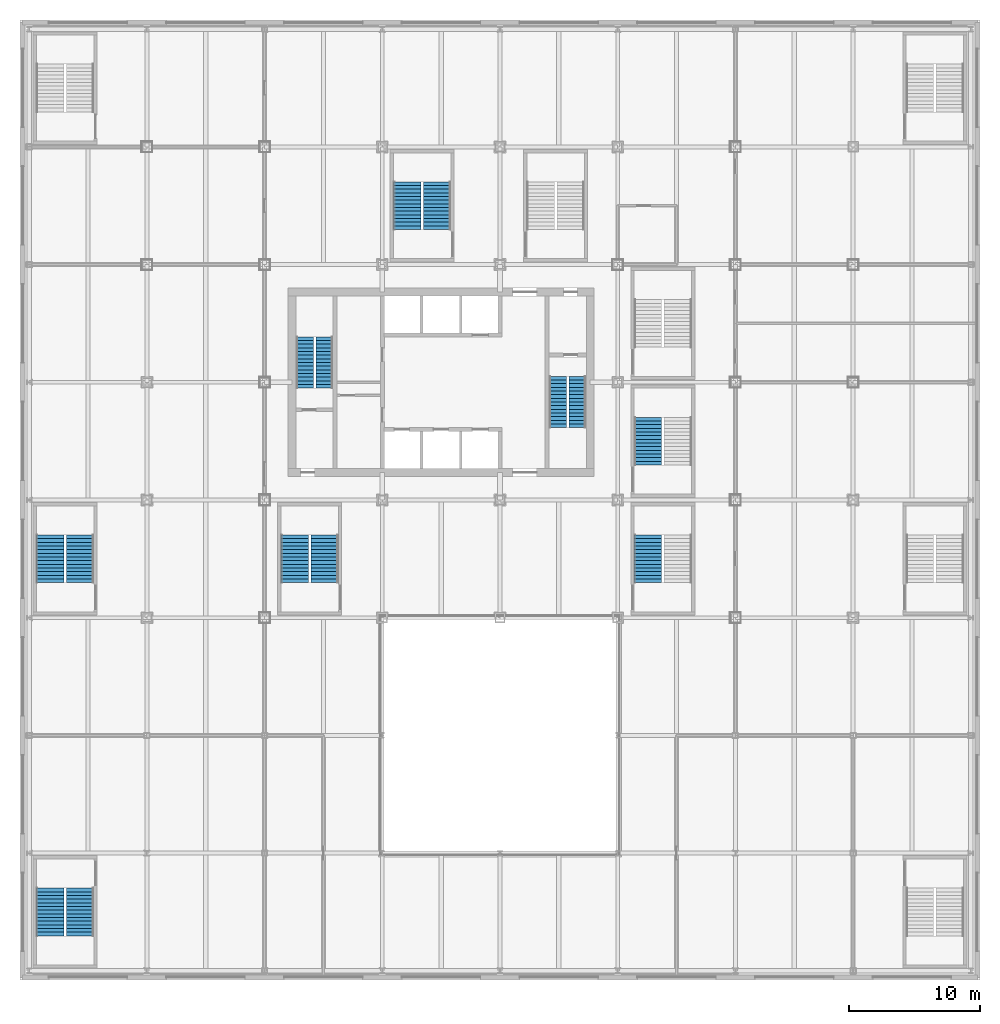
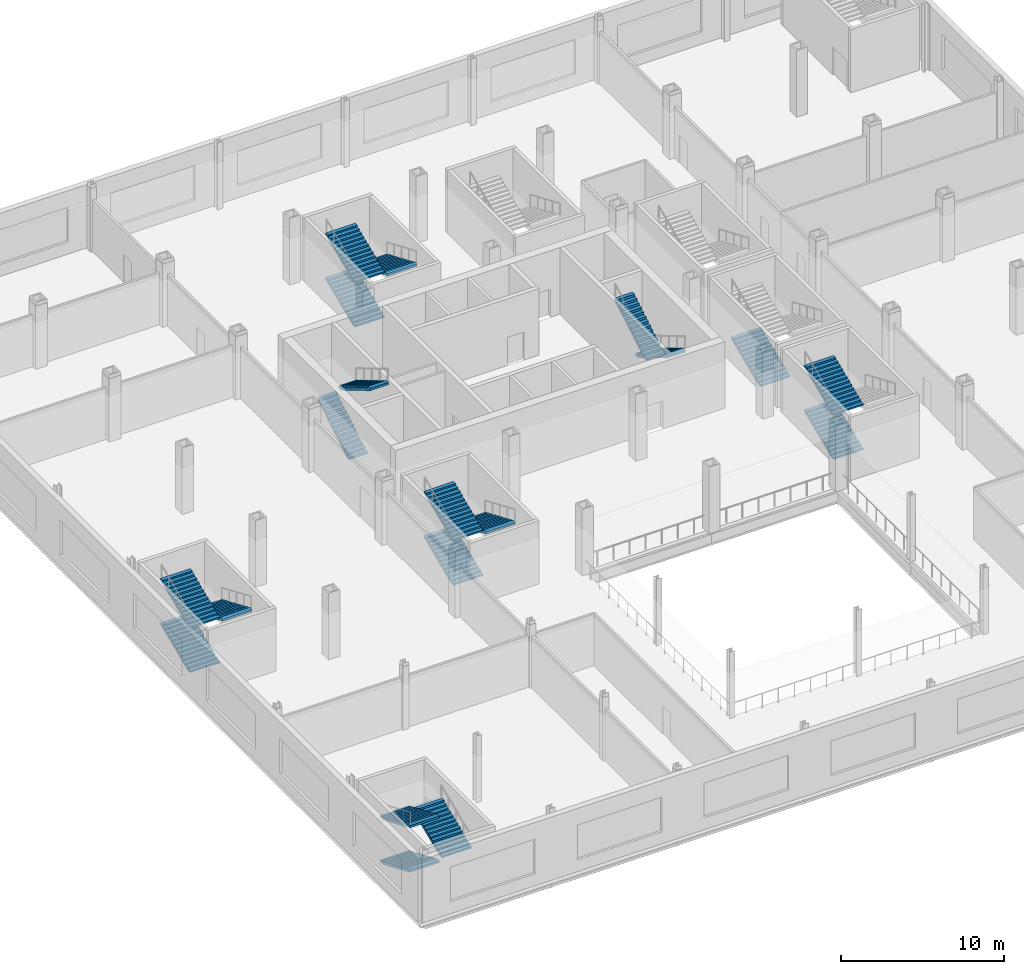
# One storey, part 16 of 31: 19 stair flights, 8 elements without a shape of their own.
"""IFC4 building model written with IfcOpenShell, lengths in metres."""

from ifc_helpers import new_model, si_unit, direction, frame, origin, place, context, subcontext, project, spatial, polyline, outline, extrude, material, type_object, element, aggregate, save


model = new_model("IFC4")

# Units and contexts
model_context = context("Model", 3, precision=1e-05, world=origin(), true_north=direction((0.0, 1.0)))
body_context = subcontext(model_context, "Body", "Model", "MODEL_VIEW")
ifc_project = project(units=[si_unit("LENGTHUNIT", "METRE"), si_unit("AREAUNIT", "SQUARE_METRE"), si_unit("VOLUMEUNIT", "CUBIC_METRE"), si_unit("PLANEANGLEUNIT", "RADIAN"), si_unit("MASSUNIT", "GRAM", prefix="KILO")], contexts=[model_context])

# Site, building, storey
site_placement = place(None, origin())
site = spatial("IfcSite", under=ifc_project, at=site_placement, CompositionType="ELEMENT")
building_placement = place(site_placement, origin())
building = spatial("IfcBuilding", under=site, at=building_placement, Name="Loomwork Tower", CompositionType="ELEMENT")
storey_placement = place(building_placement, frame((0.0, 0.0, 11.0)))
storey = spatial("IfcBuildingStorey", under=building, at=storey_placement, Name="L02", CompositionType="ELEMENT", Elevation=11.0)

# Stair, stair flights
ifc_material_1 = material(Name="Concrete 5000 psi (34 MPa) precast stair", Category="concrete")
stair_type_1 = type_object("IfcStairType", Name="Stair ST-A 30 risers 2850 wide", PredefinedType="HALF_TURN_STAIR", material=ifc_material_1)
stair_1_placement = place(storey_placement, origin())
stair_1 = element("IfcStair", 1, at=stair_1_placement, inside=storey, type_object=stair_type_1, Name="Stair A L02", PredefinedType="HALF_TURN_STAIR")
ifc_material_2 = material(Name="Concrete 5000 psi (34 MPa) precast stair", Category="concrete")
stair_flight_type_1 = type_object("IfcStairFlightType", Name="Stair flight ST-A 15 risers 1300 wide", PredefinedType="STRAIGHT", material=ifc_material_2)
stair_flight_1_placement = place(storey_placement, frame((12.074951171875, 17.550048828125, 0.0), z_axis=(0.0, 0.0, 1.0), x_axis=(0.0, 1.0, 0.0)))
stair_flight_1 = element("IfcStairFlight", 2, at=stair_flight_1_placement, type_object=stair_flight_type_1, Name="ST-A flight 1", NumberOfRisers=15, NumberOfTreads=14, PredefinedType="STRAIGHT", RiserHeight=0.166666667, TreadLength=0.28, context=body_context, shape_type="SweptSolid", body=[
    extrude(outline(polyline([(0.0, 0.0), (0.0, 0.166748046875), (0.280029296875, 0.166748046875), (0.280029296875, 0.333251953125), (0.56005859375, 0.333251953125), (0.56005859375, 0.5), (0.840087890625, 0.5), (0.840087890625, 0.666748046875), (1.1201171875, 0.666748046875), (1.1201171875, 0.833251953125), (1.39990234375, 0.833251953125), (1.39990234375, 1.0), (1.679931640625, 1.0), (1.679931640625, 1.166748046875), (1.9599609375, 1.166748046875), (1.9599609375, 1.333251953125), (2.239990234375, 1.333251953125), (2.239990234375, 1.5), (2.52001953125, 1.5), (2.52001953125, 1.666748046875), (2.800048828125, 1.666748046875), (2.800048828125, 1.833251953125), (3.080078125, 1.833251953125), (3.080078125, 2.0), (3.360107421875, 2.0), (3.360107421875, 2.166748046875), (3.639892578125, 2.166748046875), (3.639892578125, 2.333251953125), (3.919921875, 2.333251953125), (3.919921875, 2.5), (3.919921875, 2.158935546875), (0.29296875, 0.0), (0.0, 0.0)])), frame((0.0, 0.64990234375, 0.0), z_axis=(0.0, -1.0, 0.0), x_axis=(1.0, 0.0, 0.0)), (0.0, 0.0, 1.0), 1.300048828125),
])
stair_flight_2_placement = place(storey_placement, frame((13.574951171875, 21.469970703125, 2.5), z_axis=(0.0, 0.0, 1.0), x_axis=(0.0, -1.0, 0.0)))
stair_flight_2 = element("IfcStairFlight", 3, at=stair_flight_2_placement, type_object=stair_flight_type_1, Name="ST-A flight 2", NumberOfRisers=15, NumberOfTreads=14, PredefinedType="STRAIGHT", RiserHeight=0.166666667, TreadLength=0.28, context=body_context, shape_type="SweptSolid", body=[
    extrude(outline(polyline([(0.0, 0.0), (0.0, 0.166748046875), (0.280029296875, 0.166748046875), (0.280029296875, 0.333251953125), (0.56005859375, 0.333251953125), (0.56005859375, 0.5), (0.840087890625, 0.5), (0.840087890625, 0.666748046875), (1.1201171875, 0.666748046875), (1.1201171875, 0.833251953125), (1.39990234375, 0.833251953125), (1.39990234375, 1.0), (1.679931640625, 1.0), (1.679931640625, 1.166748046875), (1.9599609375, 1.166748046875), (1.9599609375, 1.333251953125), (2.239990234375, 1.333251953125), (2.239990234375, 1.5), (2.52001953125, 1.5), (2.52001953125, 1.666748046875), (2.800048828125, 1.666748046875), (2.800048828125, 1.833251953125), (3.080078125, 1.833251953125), (3.080078125, 2.0), (3.360107421875, 2.0), (3.360107421875, 2.166748046875), (3.639892578125, 2.166748046875), (3.639892578125, 2.333251953125), (3.919921875, 2.333251953125), (3.919921875, 2.5), (3.919921875, 2.158935546875), (0.29296875, 0.0), (0.0, 0.0)])), frame((0.0, 0.64990234375, 0.0), z_axis=(0.0, -1.0, 0.0), x_axis=(1.0, 0.0, 0.0)), (0.0, 0.0, 1.0), 1.300048828125),
])
aggregate(stair_1, [stair_flight_1, stair_flight_2])

ifc_material_3 = material(Name="Concrete 5000 psi (34 MPa) precast stair", Category="concrete")
stair_type_2 = type_object("IfcStairType", Name="Stair ST-B 30 risers 2850 wide", PredefinedType="HALF_TURN_STAIR", material=ifc_material_3)
stair_2_placement = place(storey_placement, origin())
stair_2 = element("IfcStair", 4, at=stair_2_placement, inside=storey, type_object=stair_type_2, Name="Stair B L02", PredefinedType="HALF_TURN_STAIR")
ifc_material_4 = material(Name="Concrete 5000 psi (34 MPa) precast stair", Category="concrete")
stair_flight_type_2 = type_object("IfcStairFlightType", Name="Stair flight ST-B 15 risers 1300 wide", PredefinedType="STRAIGHT", material=ifc_material_4)
stair_flight_3_placement = place(storey_placement, frame((32.925048828125, 18.449951171875, 0.0), z_axis=(0.0, 0.0, 1.0), x_axis=(0.0, -1.0, 0.0)))
stair_flight_3 = element("IfcStairFlight", 5, at=stair_flight_3_placement, type_object=stair_flight_type_2, Name="ST-B flight 1", NumberOfRisers=15, NumberOfTreads=14, PredefinedType="STRAIGHT", RiserHeight=0.166666667, TreadLength=0.28, context=body_context, shape_type="SweptSolid", body=[
    extrude(outline(polyline([(0.0, 0.0), (0.0, 0.166748046875), (0.280029296875, 0.166748046875), (0.280029296875, 0.333251953125), (0.56005859375, 0.333251953125), (0.56005859375, 0.5), (0.840087890625, 0.5), (0.840087890625, 0.666748046875), (1.1201171875, 0.666748046875), (1.1201171875, 0.833251953125), (1.39990234375, 0.833251953125), (1.39990234375, 1.0), (1.679931640625, 1.0), (1.679931640625, 1.166748046875), (1.9599609375, 1.166748046875), (1.9599609375, 1.333251953125), (2.239990234375, 1.333251953125), (2.239990234375, 1.5), (2.52001953125, 1.5), (2.52001953125, 1.666748046875), (2.800048828125, 1.666748046875), (2.800048828125, 1.833251953125), (3.080078125, 1.833251953125), (3.080078125, 2.0), (3.360107421875, 2.0), (3.360107421875, 2.166748046875), (3.639892578125, 2.166748046875), (3.639892578125, 2.333251953125), (3.919921875, 2.333251953125), (3.919921875, 2.5), (3.919921875, 2.158935546875), (0.29296875, 0.0), (0.0, 0.0)])), frame((0.0, 0.64990234375, 0.0), z_axis=(0.0, -1.0, 0.0), x_axis=(1.0, 0.0, 0.0)), (0.0, 0.0, 1.0), 1.300048828125),
])
stair_flight_4_placement = place(storey_placement, frame((31.425048828125, 14.530029296875, 2.5), z_axis=(0.0, 0.0, 1.0), x_axis=(0.0, 1.0, 0.0)))
stair_flight_4 = element("IfcStairFlight", 6, at=stair_flight_4_placement, type_object=stair_flight_type_2, Name="ST-B flight 2", NumberOfRisers=15, NumberOfTreads=14, PredefinedType="STRAIGHT", RiserHeight=0.166666667, TreadLength=0.28, context=body_context, shape_type="SweptSolid", body=[
    extrude(outline(polyline([(0.0, 0.0), (0.0, 0.166748046875), (0.280029296875, 0.166748046875), (0.280029296875, 0.333251953125), (0.56005859375, 0.333251953125), (0.56005859375, 0.5), (0.840087890625, 0.5), (0.840087890625, 0.666748046875), (1.1201171875, 0.666748046875), (1.1201171875, 0.833251953125), (1.39990234375, 0.833251953125), (1.39990234375, 1.0), (1.679931640625, 1.0), (1.679931640625, 1.166748046875), (1.9599609375, 1.166748046875), (1.9599609375, 1.333251953125), (2.239990234375, 1.333251953125), (2.239990234375, 1.5), (2.52001953125, 1.5), (2.52001953125, 1.666748046875), (2.800048828125, 1.666748046875), (2.800048828125, 1.833251953125), (3.080078125, 1.833251953125), (3.080078125, 2.0), (3.360107421875, 2.0), (3.360107421875, 2.166748046875), (3.639892578125, 2.166748046875), (3.639892578125, 2.333251953125), (3.919921875, 2.333251953125), (3.919921875, 2.5), (3.919921875, 2.158935546875), (0.29296875, 0.0), (0.0, 0.0)])), frame((0.0, 0.64990234375, 0.0), z_axis=(0.0, -1.0, 0.0), x_axis=(1.0, 0.0, 0.0)), (0.0, 0.0, 1.0), 1.300048828125),
])
aggregate(stair_2, [stair_flight_3, stair_flight_4])

ifc_material_5 = material(Name="Concrete 5000 psi (34 MPa) precast stair", Category="concrete")
stair_type_3 = type_object("IfcStairType", Name="Stair ST-S10P 42 risers of 119 4400 wide", PredefinedType="HALF_TURN_STAIR", material=ifc_material_5)
stair_3_placement = place(storey_placement, origin())
stair_3 = element("IfcStair", 7, at=stair_3_placement, inside=storey, type_object=stair_type_3, Name="Podium stair PS10 L02", PredefinedType="HALF_TURN_STAIR")
ifc_material_6 = material(Name="Concrete 5000 psi (34 MPa) precast stair", Category="concrete")
stair_flight_type_3 = type_object("IfcStairFlightType", Name="Stair flight ST-S10P 14 risers of 119 2100 wide", PredefinedType="STRAIGHT", material=ifc_material_6)
stair_flight_5_placement = place(storey_placement, frame((19.89990234375, 29.679931640625, 0.0), z_axis=(0.0, 0.0, 1.0), x_axis=(0.0, 1.0, 0.0)))
stair_flight_5 = element("IfcStairFlight", 8, at=stair_flight_5_placement, type_object=stair_flight_type_3, Name="ST-S10P flight 1", NumberOfRisers=14, NumberOfTreads=13, PredefinedType="STRAIGHT", RiserHeight=0.119047619, TreadLength=0.28, context=body_context, shape_type="SweptSolid", body=[
    extrude(outline(polyline([(0.0, 0.0), (0.0, 0.119140625), (0.280029296875, 0.119140625), (0.280029296875, 0.238037109375), (0.56005859375, 0.238037109375), (0.56005859375, 0.357177734375), (0.840087890625, 0.357177734375), (0.840087890625, 0.47607421875), (1.1201171875, 0.47607421875), (1.1201171875, 0.59521484375), (1.39990234375, 0.59521484375), (1.39990234375, 0.71435546875), (1.679931640625, 0.71435546875), (1.679931640625, 0.833251953125), (1.9599609375, 0.833251953125), (1.9599609375, 0.952392578125), (2.239990234375, 0.952392578125), (2.239990234375, 1.071533203125), (2.52001953125, 1.071533203125), (2.52001953125, 1.1904296875), (2.800048828125, 1.1904296875), (2.800048828125, 1.3095703125), (3.080078125, 1.3095703125), (3.080078125, 1.428466796875), (3.360107421875, 1.428466796875), (3.360107421875, 1.547607421875), (3.639892578125, 1.547607421875), (3.639892578125, 1.666748046875), (3.639892578125, 1.384765625), (0.383056640625, 0.0), (0.0, 0.0)])), frame((0.0, 1.050048828125, 0.0), z_axis=(0.0, -1.0, 0.0), x_axis=(1.0, 0.0, 0.0)), (0.0, 0.0, 1.0), 2.10009765625),
])
stair_flight_6_placement = place(storey_placement, frame((22.199951171875, 33.320068359375, 1.666748046875), z_axis=(0.0, 0.0, 1.0), x_axis=(0.0, -1.0, 0.0)))
stair_flight_6 = element("IfcStairFlight", 9, at=stair_flight_6_placement, type_object=stair_flight_type_3, Name="ST-S10P flight 2", NumberOfRisers=14, NumberOfTreads=13, PredefinedType="STRAIGHT", RiserHeight=0.119047619, TreadLength=0.28, context=body_context, shape_type="SweptSolid", body=[
    extrude(outline(polyline([(0.0, 0.0), (0.0, 0.119140625), (0.280029296875, 0.119140625), (0.280029296875, 0.238037109375), (0.56005859375, 0.238037109375), (0.56005859375, 0.357177734375), (0.840087890625, 0.357177734375), (0.840087890625, 0.47607421875), (1.1201171875, 0.47607421875), (1.1201171875, 0.59521484375), (1.39990234375, 0.59521484375), (1.39990234375, 0.71435546875), (1.679931640625, 0.71435546875), (1.679931640625, 0.833251953125), (1.9599609375, 0.833251953125), (1.9599609375, 0.952392578125), (2.239990234375, 0.952392578125), (2.239990234375, 1.071533203125), (2.52001953125, 1.071533203125), (2.52001953125, 1.1904296875), (2.800048828125, 1.1904296875), (2.800048828125, 1.3095703125), (3.080078125, 1.3095703125), (3.080078125, 1.428466796875), (3.360107421875, 1.428466796875), (3.360107421875, 1.547607421875), (3.639892578125, 1.547607421875), (3.639892578125, 1.666748046875), (3.639892578125, 1.384765625), (0.383056640625, 0.0), (0.0, 0.0)])), frame((0.0, 1.050048828125, 0.0), z_axis=(0.0, -1.0, 0.0), x_axis=(1.0, 0.0, 0.0)), (0.0, 0.0, 1.0), 2.10009765625),
])
stair_flight_7_placement = place(storey_placement, frame((19.89990234375, 29.679931640625, 3.333251953125), z_axis=(0.0, 0.0, 1.0), x_axis=(0.0, 1.0, 0.0)))
stair_flight_7 = element("IfcStairFlight", 10, at=stair_flight_7_placement, type_object=stair_flight_type_3, Name="ST-S10P flight 3", NumberOfRisers=14, NumberOfTreads=13, PredefinedType="STRAIGHT", RiserHeight=0.119047619, TreadLength=0.28, context=body_context, shape_type="SweptSolid", body=[
    extrude(outline(polyline([(0.0, 0.0), (0.0, 0.119140625), (0.280029296875, 0.119140625), (0.280029296875, 0.238037109375), (0.56005859375, 0.238037109375), (0.56005859375, 0.357177734375), (0.840087890625, 0.357177734375), (0.840087890625, 0.47607421875), (1.1201171875, 0.47607421875), (1.1201171875, 0.59521484375), (1.39990234375, 0.59521484375), (1.39990234375, 0.71435546875), (1.679931640625, 0.71435546875), (1.679931640625, 0.833251953125), (1.9599609375, 0.833251953125), (1.9599609375, 0.952392578125), (2.239990234375, 0.952392578125), (2.239990234375, 1.071533203125), (2.52001953125, 1.071533203125), (2.52001953125, 1.1904296875), (2.800048828125, 1.1904296875), (2.800048828125, 1.3095703125), (3.080078125, 1.3095703125), (3.080078125, 1.428466796875), (3.360107421875, 1.428466796875), (3.360107421875, 1.547607421875), (3.639892578125, 1.547607421875), (3.639892578125, 1.666748046875), (3.639892578125, 1.384765625), (0.383056640625, 0.0), (0.0, 0.0)])), frame((0.0, 1.050048828125, 0.0), z_axis=(0.0, -1.0, 0.0), x_axis=(1.0, 0.0, 0.0)), (0.0, 0.0, 1.0), 2.10009765625),
])
aggregate(stair_3, [stair_flight_5, stair_flight_6, stair_flight_7])

ifc_material_7 = material(Name="Concrete 5000 psi (34 MPa) precast stair", Category="concrete")
stair_type_4 = type_object("IfcStairType", Name="Stair ST-S12P 42 risers of 119 4400 wide", PredefinedType="HALF_TURN_STAIR", material=ifc_material_7)
stair_4_placement = place(storey_placement, origin())
stair_4 = element("IfcStair", 11, at=stair_4_placement, inside=storey, type_object=stair_type_4, Name="Podium stair PS12 L02", PredefinedType="HALF_TURN_STAIR")
ifc_material_8 = material(Name="Concrete 5000 psi (34 MPa) precast stair", Category="concrete")
stair_flight_type_4 = type_object("IfcStairFlightType", Name="Stair flight ST-S12P 14 risers of 119 2100 wide", PredefinedType="STRAIGHT", material=ifc_material_8)
stair_flight_8_placement = place(storey_placement, frame((11.300048828125, 2.679931640625, 0.0), z_axis=(0.0, 0.0, 1.0), x_axis=(0.0, 1.0, 0.0)))
stair_flight_8 = element("IfcStairFlight", 12, at=stair_flight_8_placement, type_object=stair_flight_type_4, Name="ST-S12P flight 1", NumberOfRisers=14, NumberOfTreads=13, PredefinedType="STRAIGHT", RiserHeight=0.119047619, TreadLength=0.28, context=body_context, shape_type="SweptSolid", body=[
    extrude(outline(polyline([(0.0, 0.0), (0.0, 0.119140625), (0.280029296875, 0.119140625), (0.280029296875, 0.238037109375), (0.56005859375, 0.238037109375), (0.56005859375, 0.357177734375), (0.840087890625, 0.357177734375), (0.840087890625, 0.47607421875), (1.1201171875, 0.47607421875), (1.1201171875, 0.59521484375), (1.39990234375, 0.59521484375), (1.39990234375, 0.71435546875), (1.679931640625, 0.71435546875), (1.679931640625, 0.833251953125), (1.9599609375, 0.833251953125), (1.9599609375, 0.952392578125), (2.239990234375, 0.952392578125), (2.239990234375, 1.071533203125), (2.52001953125, 1.071533203125), (2.52001953125, 1.1904296875), (2.800048828125, 1.1904296875), (2.800048828125, 1.3095703125), (3.080078125, 1.3095703125), (3.080078125, 1.428466796875), (3.360107421875, 1.428466796875), (3.360107421875, 1.547607421875), (3.639892578125, 1.547607421875), (3.639892578125, 1.666748046875), (3.639892578125, 1.384765625), (0.383056640625, 0.0), (0.0, 0.0)])), frame((0.0, 1.050048828125, 0.0), z_axis=(0.0, -1.0, 0.0), x_axis=(1.0, 0.0, 0.0)), (0.0, 0.0, 1.0), 2.10009765625),
])
stair_flight_9_placement = place(storey_placement, frame((13.60009765625, 6.320068359375, 1.666748046875), z_axis=(0.0, 0.0, 1.0), x_axis=(0.0, -1.0, 0.0)))
stair_flight_9 = element("IfcStairFlight", 13, at=stair_flight_9_placement, type_object=stair_flight_type_4, Name="ST-S12P flight 2", NumberOfRisers=14, NumberOfTreads=13, PredefinedType="STRAIGHT", RiserHeight=0.119047619, TreadLength=0.28, context=body_context, shape_type="SweptSolid", body=[
    extrude(outline(polyline([(0.0, 0.0), (0.0, 0.119140625), (0.280029296875, 0.119140625), (0.280029296875, 0.238037109375), (0.56005859375, 0.238037109375), (0.56005859375, 0.357177734375), (0.840087890625, 0.357177734375), (0.840087890625, 0.47607421875), (1.1201171875, 0.47607421875), (1.1201171875, 0.59521484375), (1.39990234375, 0.59521484375), (1.39990234375, 0.71435546875), (1.679931640625, 0.71435546875), (1.679931640625, 0.833251953125), (1.9599609375, 0.833251953125), (1.9599609375, 0.952392578125), (2.239990234375, 0.952392578125), (2.239990234375, 1.071533203125), (2.52001953125, 1.071533203125), (2.52001953125, 1.1904296875), (2.800048828125, 1.1904296875), (2.800048828125, 1.3095703125), (3.080078125, 1.3095703125), (3.080078125, 1.428466796875), (3.360107421875, 1.428466796875), (3.360107421875, 1.547607421875), (3.639892578125, 1.547607421875), (3.639892578125, 1.666748046875), (3.639892578125, 1.384765625), (0.383056640625, 0.0), (0.0, 0.0)])), frame((0.0, 1.050048828125, 0.0), z_axis=(0.0, -1.0, 0.0), x_axis=(1.0, 0.0, 0.0)), (0.0, 0.0, 1.0), 2.10009765625),
])
stair_flight_10_placement = place(storey_placement, frame((11.300048828125, 2.679931640625, 3.333251953125), z_axis=(0.0, 0.0, 1.0), x_axis=(0.0, 1.0, 0.0)))
stair_flight_10 = element("IfcStairFlight", 14, at=stair_flight_10_placement, type_object=stair_flight_type_4, Name="ST-S12P flight 3", NumberOfRisers=14, NumberOfTreads=13, PredefinedType="STRAIGHT", RiserHeight=0.119047619, TreadLength=0.28, context=body_context, shape_type="SweptSolid", body=[
    extrude(outline(polyline([(0.0, 0.0), (0.0, 0.119140625), (0.280029296875, 0.119140625), (0.280029296875, 0.238037109375), (0.56005859375, 0.238037109375), (0.56005859375, 0.357177734375), (0.840087890625, 0.357177734375), (0.840087890625, 0.47607421875), (1.1201171875, 0.47607421875), (1.1201171875, 0.59521484375), (1.39990234375, 0.59521484375), (1.39990234375, 0.71435546875), (1.679931640625, 0.71435546875), (1.679931640625, 0.833251953125), (1.9599609375, 0.833251953125), (1.9599609375, 0.952392578125), (2.239990234375, 0.952392578125), (2.239990234375, 1.071533203125), (2.52001953125, 1.071533203125), (2.52001953125, 1.1904296875), (2.800048828125, 1.1904296875), (2.800048828125, 1.3095703125), (3.080078125, 1.3095703125), (3.080078125, 1.428466796875), (3.360107421875, 1.428466796875), (3.360107421875, 1.547607421875), (3.639892578125, 1.547607421875), (3.639892578125, 1.666748046875), (3.639892578125, 1.384765625), (0.383056640625, 0.0), (0.0, 0.0)])), frame((0.0, 1.050048828125, 0.0), z_axis=(0.0, -1.0, 0.0), x_axis=(1.0, 0.0, 0.0)), (0.0, 0.0, 1.0), 2.10009765625),
])
aggregate(stair_4, [stair_flight_8, stair_flight_9, stair_flight_10])

ifc_material_9 = material(Name="Concrete 5000 psi (34 MPa) precast stair", Category="concrete")
stair_type_5 = type_object("IfcStairType", Name="Stair ST-S1P 42 risers of 119 4400 wide", PredefinedType="HALF_TURN_STAIR", material=ifc_material_9)
stair_5_placement = place(storey_placement, origin())
stair_5 = element("IfcStair", 15, at=stair_5_placement, inside=storey, type_object=stair_type_5, Name="Podium stair PS1 L02", PredefinedType="HALF_TURN_STAIR")
ifc_material_10 = material(Name="Concrete 5000 psi (34 MPa) precast stair", Category="concrete")
stair_flight_type_5 = type_object("IfcStairFlightType", Name="Stair flight ST-S1P 14 risers of 119 2100 wide", PredefinedType="STRAIGHT", material=ifc_material_10)
stair_flight_11_placement = place(storey_placement, frame((-7.39990234375, -20.679931640625, 0.0), z_axis=(0.0, 0.0, 1.0), x_axis=(0.0, -1.0, 0.0)))
stair_flight_11 = element("IfcStairFlight", 16, at=stair_flight_11_placement, type_object=stair_flight_type_5, Name="ST-S1P flight 1", NumberOfRisers=14, NumberOfTreads=13, PredefinedType="STRAIGHT", RiserHeight=0.119047619, TreadLength=0.28, context=body_context, shape_type="SweptSolid", body=[
    extrude(outline(polyline([(0.0, 0.0), (0.0, 0.119140625), (0.280029296875, 0.119140625), (0.280029296875, 0.238037109375), (0.56005859375, 0.238037109375), (0.56005859375, 0.357177734375), (0.840087890625, 0.357177734375), (0.840087890625, 0.47607421875), (1.1201171875, 0.47607421875), (1.1201171875, 0.59521484375), (1.39990234375, 0.59521484375), (1.39990234375, 0.71435546875), (1.679931640625, 0.71435546875), (1.679931640625, 0.833251953125), (1.9599609375, 0.833251953125), (1.9599609375, 0.952392578125), (2.239990234375, 0.952392578125), (2.239990234375, 1.071533203125), (2.52001953125, 1.071533203125), (2.52001953125, 1.1904296875), (2.800048828125, 1.1904296875), (2.800048828125, 1.3095703125), (3.080078125, 1.3095703125), (3.080078125, 1.428466796875), (3.360107421875, 1.428466796875), (3.360107421875, 1.547607421875), (3.639892578125, 1.547607421875), (3.639892578125, 1.666748046875), (3.639892578125, 1.384765625), (0.383056640625, 0.0), (0.0, 0.0)])), frame((0.0, 1.050048828125, 0.0), z_axis=(0.0, -1.0, 0.0), x_axis=(1.0, 0.0, 0.0)), (0.0, 0.0, 1.0), 2.10009765625),
])
stair_flight_12_placement = place(storey_placement, frame((-5.10009765625, -24.320068359375, 1.666748046875), z_axis=(0.0, 0.0, 1.0), x_axis=(0.0, 1.0, 0.0)))
stair_flight_12 = element("IfcStairFlight", 17, at=stair_flight_12_placement, type_object=stair_flight_type_5, Name="ST-S1P flight 2", NumberOfRisers=14, NumberOfTreads=13, PredefinedType="STRAIGHT", RiserHeight=0.119047619, TreadLength=0.28, context=body_context, shape_type="SweptSolid", body=[
    extrude(outline(polyline([(0.0, 0.0), (0.0, 0.119140625), (0.280029296875, 0.119140625), (0.280029296875, 0.238037109375), (0.56005859375, 0.238037109375), (0.56005859375, 0.357177734375), (0.840087890625, 0.357177734375), (0.840087890625, 0.47607421875), (1.1201171875, 0.47607421875), (1.1201171875, 0.59521484375), (1.39990234375, 0.59521484375), (1.39990234375, 0.71435546875), (1.679931640625, 0.71435546875), (1.679931640625, 0.833251953125), (1.9599609375, 0.833251953125), (1.9599609375, 0.952392578125), (2.239990234375, 0.952392578125), (2.239990234375, 1.071533203125), (2.52001953125, 1.071533203125), (2.52001953125, 1.1904296875), (2.800048828125, 1.1904296875), (2.800048828125, 1.3095703125), (3.080078125, 1.3095703125), (3.080078125, 1.428466796875), (3.360107421875, 1.428466796875), (3.360107421875, 1.547607421875), (3.639892578125, 1.547607421875), (3.639892578125, 1.666748046875), (3.639892578125, 1.384765625), (0.383056640625, 0.0), (0.0, 0.0)])), frame((0.0, 1.050048828125, 0.0), z_axis=(0.0, -1.0, 0.0), x_axis=(1.0, 0.0, 0.0)), (0.0, 0.0, 1.0), 2.10009765625),
])
stair_flight_13_placement = place(storey_placement, frame((-7.39990234375, -20.679931640625, 3.333251953125), z_axis=(0.0, 0.0, 1.0), x_axis=(0.0, -1.0, 0.0)))
stair_flight_13 = element("IfcStairFlight", 18, at=stair_flight_13_placement, type_object=stair_flight_type_5, Name="ST-S1P flight 3", NumberOfRisers=14, NumberOfTreads=13, PredefinedType="STRAIGHT", RiserHeight=0.119047619, TreadLength=0.28, context=body_context, shape_type="SweptSolid", body=[
    extrude(outline(polyline([(0.0, 0.0), (0.0, 0.119140625), (0.280029296875, 0.119140625), (0.280029296875, 0.238037109375), (0.56005859375, 0.238037109375), (0.56005859375, 0.357177734375), (0.840087890625, 0.357177734375), (0.840087890625, 0.47607421875), (1.1201171875, 0.47607421875), (1.1201171875, 0.59521484375), (1.39990234375, 0.59521484375), (1.39990234375, 0.71435546875), (1.679931640625, 0.71435546875), (1.679931640625, 0.833251953125), (1.9599609375, 0.833251953125), (1.9599609375, 0.952392578125), (2.239990234375, 0.952392578125), (2.239990234375, 1.071533203125), (2.52001953125, 1.071533203125), (2.52001953125, 1.1904296875), (2.800048828125, 1.1904296875), (2.800048828125, 1.3095703125), (3.080078125, 1.3095703125), (3.080078125, 1.428466796875), (3.360107421875, 1.428466796875), (3.360107421875, 1.547607421875), (3.639892578125, 1.547607421875), (3.639892578125, 1.666748046875), (3.639892578125, 1.384765625), (0.383056640625, 0.0), (0.0, 0.0)])), frame((0.0, 1.050048828125, 0.0), z_axis=(0.0, -1.0, 0.0), x_axis=(1.0, 0.0, 0.0)), (0.0, 0.0, 1.0), 2.10009765625),
])
aggregate(stair_5, [stair_flight_11, stair_flight_12, stair_flight_13])

ifc_material_11 = material(Name="Concrete 5000 psi (34 MPa) precast stair", Category="concrete")
stair_type_6 = type_object("IfcStairType", Name="Stair ST-S5P 42 risers of 119 4400 wide", PredefinedType="HALF_TURN_STAIR", material=ifc_material_11)
stair_6_placement = place(storey_placement, origin())
stair_6 = element("IfcStair", 19, at=stair_6_placement, inside=storey, type_object=stair_type_6, Name="Podium stair PS5 L02", PredefinedType="HALF_TURN_STAIR")
ifc_material_12 = material(Name="Concrete 5000 psi (34 MPa) precast stair", Category="concrete")
stair_flight_type_6 = type_object("IfcStairFlightType", Name="Stair flight ST-S5P 14 risers of 119 2100 wide", PredefinedType="STRAIGHT", material=ifc_material_12)
stair_flight_14_placement = place(storey_placement, frame((-7.39990234375, 2.679931640625, 0.0), z_axis=(0.0, 0.0, 1.0), x_axis=(0.0, 1.0, 0.0)))
stair_flight_14 = element("IfcStairFlight", 20, at=stair_flight_14_placement, type_object=stair_flight_type_6, Name="ST-S5P flight 1", NumberOfRisers=14, NumberOfTreads=13, PredefinedType="STRAIGHT", RiserHeight=0.119047619, TreadLength=0.28, context=body_context, shape_type="SweptSolid", body=[
    extrude(outline(polyline([(0.0, 0.0), (0.0, 0.119140625), (0.280029296875, 0.119140625), (0.280029296875, 0.238037109375), (0.56005859375, 0.238037109375), (0.56005859375, 0.357177734375), (0.840087890625, 0.357177734375), (0.840087890625, 0.47607421875), (1.1201171875, 0.47607421875), (1.1201171875, 0.59521484375), (1.39990234375, 0.59521484375), (1.39990234375, 0.71435546875), (1.679931640625, 0.71435546875), (1.679931640625, 0.833251953125), (1.9599609375, 0.833251953125), (1.9599609375, 0.952392578125), (2.239990234375, 0.952392578125), (2.239990234375, 1.071533203125), (2.52001953125, 1.071533203125), (2.52001953125, 1.1904296875), (2.800048828125, 1.1904296875), (2.800048828125, 1.3095703125), (3.080078125, 1.3095703125), (3.080078125, 1.428466796875), (3.360107421875, 1.428466796875), (3.360107421875, 1.547607421875), (3.639892578125, 1.547607421875), (3.639892578125, 1.666748046875), (3.639892578125, 1.384765625), (0.383056640625, 0.0), (0.0, 0.0)])), frame((0.0, 1.050048828125, 0.0), z_axis=(0.0, -1.0, 0.0), x_axis=(1.0, 0.0, 0.0)), (0.0, 0.0, 1.0), 2.10009765625),
])
stair_flight_15_placement = place(storey_placement, frame((-5.10009765625, 6.320068359375, 1.666748046875), z_axis=(0.0, 0.0, 1.0), x_axis=(0.0, -1.0, 0.0)))
stair_flight_15 = element("IfcStairFlight", 21, at=stair_flight_15_placement, type_object=stair_flight_type_6, Name="ST-S5P flight 2", NumberOfRisers=14, NumberOfTreads=13, PredefinedType="STRAIGHT", RiserHeight=0.119047619, TreadLength=0.28, context=body_context, shape_type="SweptSolid", body=[
    extrude(outline(polyline([(0.0, 0.0), (0.0, 0.119140625), (0.280029296875, 0.119140625), (0.280029296875, 0.238037109375), (0.56005859375, 0.238037109375), (0.56005859375, 0.357177734375), (0.840087890625, 0.357177734375), (0.840087890625, 0.47607421875), (1.1201171875, 0.47607421875), (1.1201171875, 0.59521484375), (1.39990234375, 0.59521484375), (1.39990234375, 0.71435546875), (1.679931640625, 0.71435546875), (1.679931640625, 0.833251953125), (1.9599609375, 0.833251953125), (1.9599609375, 0.952392578125), (2.239990234375, 0.952392578125), (2.239990234375, 1.071533203125), (2.52001953125, 1.071533203125), (2.52001953125, 1.1904296875), (2.800048828125, 1.1904296875), (2.800048828125, 1.3095703125), (3.080078125, 1.3095703125), (3.080078125, 1.428466796875), (3.360107421875, 1.428466796875), (3.360107421875, 1.547607421875), (3.639892578125, 1.547607421875), (3.639892578125, 1.666748046875), (3.639892578125, 1.384765625), (0.383056640625, 0.0), (0.0, 0.0)])), frame((0.0, 1.050048828125, 0.0), z_axis=(0.0, -1.0, 0.0), x_axis=(1.0, 0.0, 0.0)), (0.0, 0.0, 1.0), 2.10009765625),
])
stair_flight_16_placement = place(storey_placement, frame((-7.39990234375, 2.679931640625, 3.333251953125), z_axis=(0.0, 0.0, 1.0), x_axis=(0.0, 1.0, 0.0)))
stair_flight_16 = element("IfcStairFlight", 22, at=stair_flight_16_placement, type_object=stair_flight_type_6, Name="ST-S5P flight 3", NumberOfRisers=14, NumberOfTreads=13, PredefinedType="STRAIGHT", RiserHeight=0.119047619, TreadLength=0.28, context=body_context, shape_type="SweptSolid", body=[
    extrude(outline(polyline([(0.0, 0.0), (0.0, 0.119140625), (0.280029296875, 0.119140625), (0.280029296875, 0.238037109375), (0.56005859375, 0.238037109375), (0.56005859375, 0.357177734375), (0.840087890625, 0.357177734375), (0.840087890625, 0.47607421875), (1.1201171875, 0.47607421875), (1.1201171875, 0.59521484375), (1.39990234375, 0.59521484375), (1.39990234375, 0.71435546875), (1.679931640625, 0.71435546875), (1.679931640625, 0.833251953125), (1.9599609375, 0.833251953125), (1.9599609375, 0.952392578125), (2.239990234375, 0.952392578125), (2.239990234375, 1.071533203125), (2.52001953125, 1.071533203125), (2.52001953125, 1.1904296875), (2.800048828125, 1.1904296875), (2.800048828125, 1.3095703125), (3.080078125, 1.3095703125), (3.080078125, 1.428466796875), (3.360107421875, 1.428466796875), (3.360107421875, 1.547607421875), (3.639892578125, 1.547607421875), (3.639892578125, 1.666748046875), (3.639892578125, 1.384765625), (0.383056640625, 0.0), (0.0, 0.0)])), frame((0.0, 1.050048828125, 0.0), z_axis=(0.0, -1.0, 0.0), x_axis=(1.0, 0.0, 0.0)), (0.0, 0.0, 1.0), 2.10009765625),
])
aggregate(stair_6, [stair_flight_14, stair_flight_15, stair_flight_16])

ifc_material_13 = material(Name="Concrete 5000 psi (34 MPa) precast stair", Category="concrete")
stair_type_7 = type_object("IfcStairType", Name="Stair ST-S7P 42 risers of 119 4400 wide", PredefinedType="HALF_TURN_STAIR", material=ifc_material_13)
stair_7_placement = place(storey_placement, origin())
stair_7 = element("IfcStair", 23, at=stair_7_placement, inside=storey, type_object=stair_type_7, Name="Podium stair PS7 L02", PredefinedType="HALF_TURN_STAIR")
ifc_material_14 = material(Name="Concrete 5000 psi (34 MPa) precast stair", Category="concrete")
stair_flight_type_7 = type_object("IfcStairFlightType", Name="Stair flight ST-S7P 14 risers of 119 2100 wide", PredefinedType="STRAIGHT", material=ifc_material_14)
stair_flight_17_placement = place(storey_placement, frame((38.300048828125, 2.679931640625, 0.0), z_axis=(0.0, 0.0, 1.0), x_axis=(0.0, 1.0, 0.0)))
stair_flight_17 = element("IfcStairFlight", 24, at=stair_flight_17_placement, type_object=stair_flight_type_7, Name="ST-S7P flight 1", NumberOfRisers=14, NumberOfTreads=13, PredefinedType="STRAIGHT", RiserHeight=0.119047619, TreadLength=0.28, context=body_context, shape_type="SweptSolid", body=[
    extrude(outline(polyline([(0.0, 0.0), (0.0, 0.119140625), (0.280029296875, 0.119140625), (0.280029296875, 0.238037109375), (0.56005859375, 0.238037109375), (0.56005859375, 0.357177734375), (0.840087890625, 0.357177734375), (0.840087890625, 0.47607421875), (1.1201171875, 0.47607421875), (1.1201171875, 0.59521484375), (1.39990234375, 0.59521484375), (1.39990234375, 0.71435546875), (1.679931640625, 0.71435546875), (1.679931640625, 0.833251953125), (1.9599609375, 0.833251953125), (1.9599609375, 0.952392578125), (2.239990234375, 0.952392578125), (2.239990234375, 1.071533203125), (2.52001953125, 1.071533203125), (2.52001953125, 1.1904296875), (2.800048828125, 1.1904296875), (2.800048828125, 1.3095703125), (3.080078125, 1.3095703125), (3.080078125, 1.428466796875), (3.360107421875, 1.428466796875), (3.360107421875, 1.547607421875), (3.639892578125, 1.547607421875), (3.639892578125, 1.666748046875), (3.639892578125, 1.384765625), (0.383056640625, 0.0), (0.0, 0.0)])), frame((0.0, 1.050048828125, 0.0), z_axis=(0.0, -1.0, 0.0), x_axis=(1.0, 0.0, 0.0)), (0.0, 0.0, 1.0), 2.10009765625),
])
stair_flight_18_placement = place(storey_placement, frame((38.300048828125, 2.679931640625, 3.333251953125), z_axis=(0.0, 0.0, 1.0), x_axis=(0.0, 1.0, 0.0)))
stair_flight_18 = element("IfcStairFlight", 25, at=stair_flight_18_placement, type_object=stair_flight_type_7, Name="ST-S7P flight 3", NumberOfRisers=14, NumberOfTreads=13, PredefinedType="STRAIGHT", RiserHeight=0.119047619, TreadLength=0.28, context=body_context, shape_type="SweptSolid", body=[
    extrude(outline(polyline([(0.0, 0.0), (0.0, 0.119140625), (0.280029296875, 0.119140625), (0.280029296875, 0.238037109375), (0.56005859375, 0.238037109375), (0.56005859375, 0.357177734375), (0.840087890625, 0.357177734375), (0.840087890625, 0.47607421875), (1.1201171875, 0.47607421875), (1.1201171875, 0.59521484375), (1.39990234375, 0.59521484375), (1.39990234375, 0.71435546875), (1.679931640625, 0.71435546875), (1.679931640625, 0.833251953125), (1.9599609375, 0.833251953125), (1.9599609375, 0.952392578125), (2.239990234375, 0.952392578125), (2.239990234375, 1.071533203125), (2.52001953125, 1.071533203125), (2.52001953125, 1.1904296875), (2.800048828125, 1.1904296875), (2.800048828125, 1.3095703125), (3.080078125, 1.3095703125), (3.080078125, 1.428466796875), (3.360107421875, 1.428466796875), (3.360107421875, 1.547607421875), (3.639892578125, 1.547607421875), (3.639892578125, 1.666748046875), (3.639892578125, 1.384765625), (0.383056640625, 0.0), (0.0, 0.0)])), frame((0.0, 1.050048828125, 0.0), z_axis=(0.0, -1.0, 0.0), x_axis=(1.0, 0.0, 0.0)), (0.0, 0.0, 1.0), 2.10009765625),
])
aggregate(stair_7, [stair_flight_17, stair_flight_18])

# Stair, stair flight
ifc_material_15 = material(Name="Concrete 5000 psi (34 MPa) precast stair", Category="concrete")
stair_type_8 = type_object("IfcStairType", Name="Stair ST-S8P 42 risers of 119 4400 wide", PredefinedType="HALF_TURN_STAIR", material=ifc_material_15)
stair_8_placement = place(storey_placement, origin())
stair_8 = element("IfcStair", 26, at=stair_8_placement, inside=storey, type_object=stair_type_8, Name="Podium stair PS8 L02", PredefinedType="HALF_TURN_STAIR")
ifc_material_16 = material(Name="Concrete 5000 psi (34 MPa) precast stair", Category="concrete")
stair_flight_type_8 = type_object("IfcStairFlightType", Name="Stair flight ST-S8P 14 risers of 119 2100 wide", PredefinedType="STRAIGHT", material=ifc_material_16)
stair_flight_19_placement = place(storey_placement, frame((38.300048828125, 11.679931640625, 0.0), z_axis=(0.0, 0.0, 1.0), x_axis=(0.0, 1.0, 0.0)))
stair_flight_19 = element("IfcStairFlight", 27, at=stair_flight_19_placement, type_object=stair_flight_type_8, Name="ST-S8P flight 1", NumberOfRisers=14, NumberOfTreads=13, PredefinedType="STRAIGHT", RiserHeight=0.119047619, TreadLength=0.28, context=body_context, shape_type="SweptSolid", body=[
    extrude(outline(polyline([(0.0, 0.0), (0.0, 0.119140625), (0.280029296875, 0.119140625), (0.280029296875, 0.238037109375), (0.56005859375, 0.238037109375), (0.56005859375, 0.357177734375), (0.840087890625, 0.357177734375), (0.840087890625, 0.47607421875), (1.1201171875, 0.47607421875), (1.1201171875, 0.59521484375), (1.39990234375, 0.59521484375), (1.39990234375, 0.71435546875), (1.679931640625, 0.71435546875), (1.679931640625, 0.833251953125), (1.9599609375, 0.833251953125), (1.9599609375, 0.952392578125), (2.239990234375, 0.952392578125), (2.239990234375, 1.071533203125), (2.52001953125, 1.071533203125), (2.52001953125, 1.1904296875), (2.800048828125, 1.1904296875), (2.800048828125, 1.3095703125), (3.080078125, 1.3095703125), (3.080078125, 1.428466796875), (3.360107421875, 1.428466796875), (3.360107421875, 1.547607421875), (3.639892578125, 1.547607421875), (3.639892578125, 1.666748046875), (3.639892578125, 1.384765625), (0.383056640625, 0.0), (0.0, 0.0)])), frame((0.0, 1.050048828125, 0.0), z_axis=(0.0, -1.0, 0.0), x_axis=(1.0, 0.0, 0.0)), (0.0, 0.0, 1.0), 2.10009765625),
])
aggregate(stair_8, [stair_flight_19])

save(model, "model.ifc")
